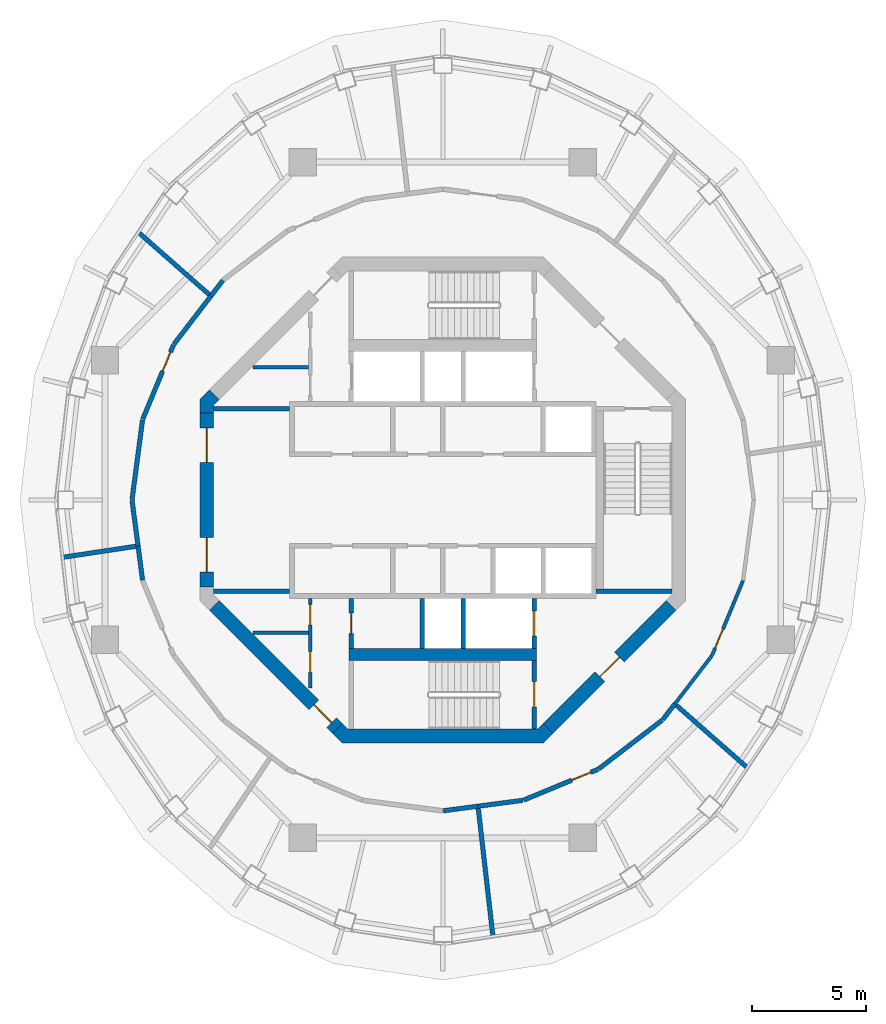
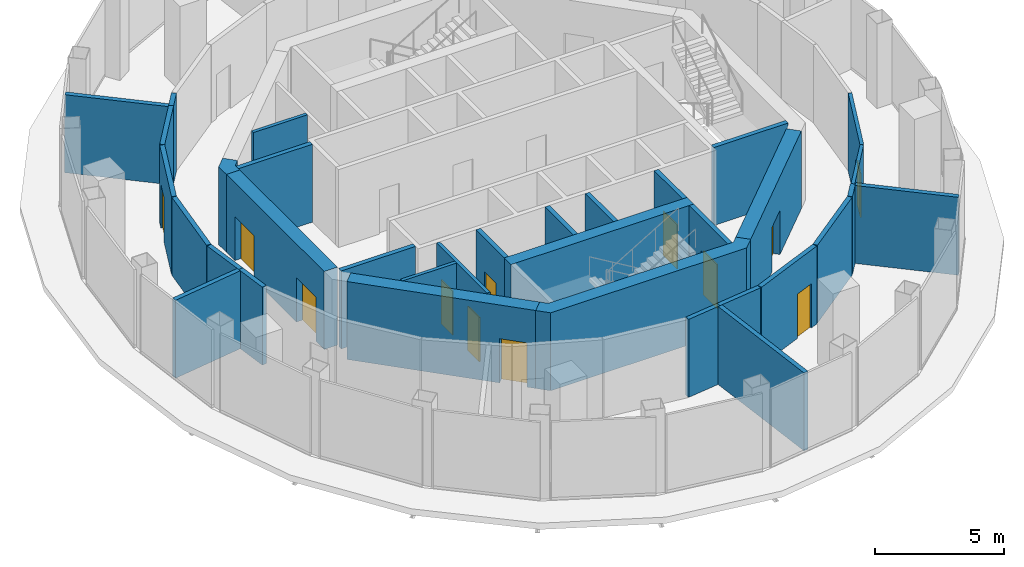
# One storey, part 8 of 11: 34 walls, 12 doors, 12 openings.
"""IFC4 building model written with IfcOpenShell, lengths in metres."""

from ifc_helpers import new_model, si_unit, direction, frame, frame_2d, origin, place, context, subcontext, project, spatial, polyline, rectangle, outline, extrude, material, layer, layer_set, type_object, element, fill, save


model = new_model("IFC4")

# Units and contexts
model_context = context("Model", 3, precision=1e-05, world=origin(), true_north=direction((0.0, 1.0)))
body_context = subcontext(model_context, "Body", "Model", "MODEL_VIEW")
ifc_project = project(units=[si_unit("LENGTHUNIT", "METRE"), si_unit("AREAUNIT", "SQUARE_METRE"), si_unit("VOLUMEUNIT", "CUBIC_METRE"), si_unit("PLANEANGLEUNIT", "RADIAN"), si_unit("MASSUNIT", "GRAM", prefix="KILO")], contexts=[model_context])

# Site, building, storey
site_placement = place(None, origin())
site = spatial("IfcSite", under=ifc_project, at=site_placement, CompositionType="ELEMENT")
building_placement = place(site_placement, origin())
building = spatial("IfcBuilding", under=site, at=building_placement, Name="Nagisa Residences", CompositionType="ELEMENT")
storey_placement = place(building_placement, frame((0.0, 0.0, 324.89990234375)))
storey = spatial("IfcBuildingStorey", under=building, at=storey_placement, Name="L80", CompositionType="ELEMENT", Elevation=324.89990234375)

# Wall, openings, doors
ifc_material_1 = material(Name="Gypsum board on steel studs", Category="steel")
ifc_layer_1 = layer(ifc_material_1, 0.14990234375)
ifc_layer_set_1 = layer_set([ifc_layer_1], Name="Core partition 150")
wall_type_1 = type_object("IfcWallType", Name="Core partition 150", PredefinedType="PARTITIONING", material=ifc_layer_set_1)
wall_1_placement = place(storey_placement, frame((-5.800048828125, -8.22705078125, 0.0), z_axis=(0.0, 0.0, 1.0), x_axis=(0.0, 1.0, 0.0)))
wall_1 = element("IfcWall", 1, at=wall_1_placement, inside=storey, type_object=wall_type_1, Name="wall:L80:SWp", PredefinedType="PARTITIONING", context=body_context, shape_type="SweptSolid", body=[
    extrude(rectangle(XDim=3.927001953125, YDim=0.14990234375, at=frame_2d((1.96337890625, 0.0))), origin(), (0.0, 0.0, 1.0), 3.7001953125),
])
opening_1_placement = place(wall_1_placement, frame((2.764404296875, 0.0, 0.0)))
opening_1 = element("IfcOpeningElement", 2, at=opening_1_placement, cuts=wall_1, Name="Opening L80-C09", PredefinedType="OPENING", context=body_context, shape_type="SweptSolid", body=[
    extrude(rectangle(XDim=0.89990234375, YDim=2.10009765625, at=frame_2d((0.449951171875, 1.050048828125))), frame((0.0, 0.0849609375, 0.0), z_axis=(0.0, -1.0, 0.0), x_axis=(1.0, 0.0, 0.0)), (0.0, 0.0, 1.0), 0.169921875),
])
opening_2_placement = place(wall_1_placement, frame((0.6884765625, 0.0, 0.0)))
opening_2 = element("IfcOpeningElement", 3, at=opening_2_placement, cuts=wall_1, Name="Opening L80-C10", PredefinedType="OPENING", context=body_context, shape_type="SweptSolid", body=[
    extrude(rectangle(XDim=0.89990234375, YDim=2.10009765625, at=frame_2d((0.449951171875, 1.050048828125))), frame((0.0, 0.0849609375, 0.0), z_axis=(0.0, -1.0, 0.0), x_axis=(1.0, 0.0, 0.0)), (0.0, 0.0, 1.0), 0.169921875),
])
ifc_material_2 = material(Name="Steel fire door", Category="steel")
door_type_1 = type_object("IfcDoorType", Name="Fire door EI30 900x2100 single swing", OperationType="NOTDEFINED", PredefinedType="DOOR", material=ifc_material_2)
door_1_placement = place(opening_1_placement, origin())
door_1 = element("IfcDoor", 4, at=door_1_placement, inside=storey, type_object=door_type_1, Name="Cleaner store door L80", OperationType="SINGLE_SWING_LEFT", OverallHeight=2.10009765625, OverallWidth=0.89990234375, PredefinedType="DOOR", context=body_context, shape_type="SweptSolid", body=[
    extrude(rectangle(XDim=0.89990234375, YDim=2.10009765625, at=frame_2d((0.449951171875, 1.050048828125))), frame((0.0, 0.02490234375, 0.0), z_axis=(0.0, -1.0, 0.0), x_axis=(1.0, 0.0, 0.0)), (0.0, 0.0, 1.0), 0.050048828125),
])
fill(opening_1, door_1)
door_2_placement = place(opening_2_placement, origin())
door_2 = element("IfcDoor", 5, at=door_2_placement, inside=storey, type_object=door_type_1, Name="Plant package store door L80", OperationType="SINGLE_SWING_LEFT", OverallHeight=2.10009765625, OverallWidth=0.89990234375, PredefinedType="DOOR", context=body_context, shape_type="SweptSolid", body=[
    extrude(rectangle(XDim=0.89990234375, YDim=2.10009765625, at=frame_2d((0.449951171875, 1.050048828125))), frame((0.0, 0.02490234375, 0.0), z_axis=(0.0, -1.0, 0.0), x_axis=(1.0, 0.0, 0.0)), (0.0, 0.0, 1.0), 0.050048828125),
])
fill(opening_2, door_2)

# Walls
for number, where, z_axis, x_axis, name in (
    (6, (-8.301025390625, -5.800048828125, 0.0), (0.0, 0.0, 1.0), (1.0, 0.0, 0.0), "wall:L80:SWq"),
    (7, (-8.301025390625, 5.800048828125, 0.0), (0.0, 0.0, 1.0), (1.0, 0.0, 0.0), "wall:L80:NWq"),
):
    element("IfcWall", number, at=place(storey_placement, frame(where, z_axis=z_axis, x_axis=x_axis)), inside=storey, type_object=wall_type_1, Name=name, PredefinedType="PARTITIONING", context=body_context, shape_type="SweptSolid", body=[
        extrude(rectangle(XDim=2.426025390625, YDim=0.14990234375, at=frame_2d((1.212890625, 0.0))), origin(), (0.0, 0.0, 1.0), 3.7001953125),
    ])
ifc_material_3 = material(Name="Gypsum board on steel studs", Category="steel")
ifc_layer_2 = layer(ifc_material_3, 0.199951171875)
ifc_layer_set_2 = layer_set([ifc_layer_2], Name="Core partition 200")
wall_type_2 = type_object("IfcWallType", Name="Core partition 200", PredefinedType="PARTITIONING", material=ifc_layer_set_2)
for number, where, z_axis, x_axis, name in (
    (8, (-10.024658203125, -4.0, 0.0), (0.0, 0.0, 1.0), (1.0, 0.0, 0.0), "wall:L80:PSW"),
    (9, (-10.024658203125, 4.0, 0.0), (0.0, 0.0, 1.0), (1.0, 0.0, 0.0), "wall:L80:PNW"),
):
    element("IfcWall", number, at=place(storey_placement, frame(where, z_axis=z_axis, x_axis=x_axis)), inside=storey, type_object=wall_type_2, Name=name, PredefinedType="PARTITIONING", context=body_context, shape_type="SweptSolid", body=[
        extrude(rectangle(XDim=3.32470703125, YDim=0.199951171875, at=frame_2d((1.662353515625, 0.0))), origin(), (0.0, 0.0, 1.0), 3.7001953125),
    ])

# Wall, openings, doors
ifc_material_4 = material(Name="Concrete C60", Category="concrete")
ifc_layer_3 = layer(ifc_material_4, 0.60009765625)
ifc_layer_set_3 = layer_set([ifc_layer_3], Name="Core shear wall 600")
wall_type_3 = type_object("IfcWallType", Name="Core shear wall 600", PredefinedType="SHEAR", material=ifc_layer_set_3)
wall_2_placement = place(storey_placement, frame((-10.32470703125, 3.80078125, 0.0), z_axis=(0.0, 0.0, 1.0), x_axis=(0.0, -1.0, 0.0)))
wall_2 = element("IfcWall", 10, at=wall_2_placement, inside=storey, type_object=wall_type_3, Name="wall:L80:core:flat4", PredefinedType="SHEAR", context=body_context, shape_type="SweptSolid", body=[
    extrude(rectangle(XDim=7.6015625, YDim=0.60009765625, at=frame_2d((3.80078125, 0.0))), origin(), (0.0, 0.0, 1.0), 3.7001953125),
])
opening_3_placement = place(wall_2_placement, frame((0.65087890625, 0.0, 0.0)))
opening_3 = element("IfcOpeningElement", 11, at=opening_3_placement, cuts=wall_2, Name="Opening L80-C20", PredefinedType="OPENING", context=body_context, shape_type="SweptSolid", body=[
    extrude(rectangle(XDim=1.5, YDim=2.10009765625, at=frame_2d((0.75, 1.050048828125))), frame((0.0, 0.31005859375, 0.0), z_axis=(0.0, -1.0, 0.0), x_axis=(1.0, 0.0, 0.0)), (0.0, 0.0, 1.0), 0.6201171875),
])
opening_4_placement = place(wall_2_placement, frame((5.450927734375, 0.0, 0.0)))
opening_4 = element("IfcOpeningElement", 12, at=opening_4_placement, cuts=wall_2, Name="Opening L80-C21", PredefinedType="OPENING", context=body_context, shape_type="SweptSolid", body=[
    extrude(rectangle(XDim=1.5, YDim=2.10009765625, at=frame_2d((0.75, 1.050048828125))), frame((0.0, 0.31005859375, 0.0), z_axis=(0.0, -1.0, 0.0), x_axis=(1.0, 0.0, 0.0)), (0.0, 0.0, 1.0), 0.6201171875),
])
ifc_material_5 = material(Name="Steel fire door", Category="steel")
door_type_2 = type_object("IfcDoorType", Name="Fire door EI60 1500x2100 double door single swing", OperationType="DOUBLE_DOOR_SINGLE_SWING", PredefinedType="DOOR", material=ifc_material_5)
door_3_placement = place(opening_3_placement, origin())
door_3 = element("IfcDoor", 13, at=door_3_placement, inside=storey, type_object=door_type_2, Name="Lift lobby door L80 1", OperationType="DOUBLE_DOOR_SINGLE_SWING", OverallHeight=2.10009765625, OverallWidth=1.5, PredefinedType="DOOR", context=body_context, shape_type="SweptSolid", body=[
    extrude(rectangle(XDim=1.5, YDim=2.10009765625, at=frame_2d((0.75, 1.050048828125))), frame((0.0, 0.02490234375, 0.0), z_axis=(0.0, -1.0, 0.0), x_axis=(1.0, 0.0, 0.0)), (0.0, 0.0, 1.0), 0.050048828125),
])
fill(opening_3, door_3)
door_4_placement = place(opening_4_placement, origin())
door_4 = element("IfcDoor", 14, at=door_4_placement, inside=storey, type_object=door_type_2, Name="Lift lobby door L80 2", OperationType="DOUBLE_DOOR_SINGLE_SWING", OverallHeight=2.10009765625, OverallWidth=1.5, PredefinedType="DOOR", context=body_context, shape_type="SweptSolid", body=[
    extrude(rectangle(XDim=1.5, YDim=2.10009765625, at=frame_2d((0.75, 1.050048828125))), frame((0.0, 0.02490234375, 0.0), z_axis=(0.0, -1.0, 0.0), x_axis=(1.0, 0.0, 0.0)), (0.0, 0.0, 1.0), 0.050048828125),
])
fill(opening_4, door_4)

# Wall, opening, door
wall_3_placement = place(storey_placement, frame((-9.98828125, -4.613037109375, 0.0), z_axis=(0.0, 0.0, 1.0), x_axis=(0.707106781187, -0.707106781187, 0.0)))
wall_3 = element("IfcWall", 15, at=wall_3_placement, inside=storey, type_object=wall_type_3, Name="wall:L80:core:flat5", PredefinedType="SHEAR", context=body_context, shape_type="SweptSolid", body=[
    extrude(rectangle(XDim=7.601806640625, YDim=0.60009765625, at=frame_2d((3.80078125, 0.0))), origin(), (0.0, 0.0, 1.0), 3.7001953125),
])
opening_5_placement = place(wall_3_placement, frame((6.15087890625, 0.0, 0.0)))
opening_5 = element("IfcOpeningElement", 16, at=opening_5_placement, cuts=wall_3, Name="Opening L80-C23", PredefinedType="OPENING", context=body_context, shape_type="SweptSolid", body=[
    extrude(rectangle(XDim=1.10009765625, YDim=2.10009765625, at=frame_2d((0.550048828125, 1.050048828125))), frame((0.0, 0.31005859375, 0.0), z_axis=(0.0, -1.0, 0.0), x_axis=(1.0, 0.0, 0.0)), (0.0, 0.0, 1.0), 0.6201171875),
])
ifc_material_6 = material(Name="Steel fire door", Category="steel")
door_type_3 = type_object("IfcDoorType", Name="Fire door EI60 1100x2100 single swing", OperationType="NOTDEFINED", PredefinedType="DOOR", material=ifc_material_6)
door_5_placement = place(opening_5_placement, origin())
door_5 = element("IfcDoor", 17, at=door_5_placement, inside=storey, type_object=door_type_3, Name="Housekeeping lobby door L80", OperationType="SINGLE_SWING_LEFT", OverallHeight=2.10009765625, OverallWidth=1.10009765625, PredefinedType="DOOR", context=body_context, shape_type="SweptSolid", body=[
    extrude(rectangle(XDim=1.10009765625, YDim=2.10009765625, at=frame_2d((0.550048828125, 1.050048828125))), frame((0.0, 0.02490234375, 0.0), z_axis=(0.0, -1.0, 0.0), x_axis=(1.0, 0.0, 0.0)), (0.0, 0.0, 1.0), 0.050048828125),
])
fill(opening_5, door_5)

wall_4_placement = place(storey_placement, frame((4.613037109375, -9.98828125, 0.0), z_axis=(0.0, 0.0, 1.0), x_axis=(0.707106781187, 0.707106781187, 0.0)))
wall_4 = element("IfcWall", 18, at=wall_4_placement, inside=storey, type_object=wall_type_3, Name="wall:L80:core:flat7", PredefinedType="SHEAR", context=body_context, shape_type="SweptSolid", body=[
    extrude(rectangle(XDim=7.601806640625, YDim=0.60009765625, at=frame_2d((3.80078125, 0.0))), origin(), (0.0, 0.0, 1.0), 3.7001953125),
])
opening_6_placement = place(wall_4_placement, frame((3.200927734375, 0.0, 0.0)))
opening_6 = element("IfcOpeningElement", 19, at=opening_6_placement, cuts=wall_4, Name="Opening L80-C19", PredefinedType="OPENING", context=body_context, shape_type="SweptSolid", body=[
    extrude(rectangle(XDim=1.199951171875, YDim=2.10009765625, at=frame_2d((0.60009765625, 1.050048828125))), frame((0.0, 0.31005859375, 0.0), z_axis=(0.0, -1.0, 0.0), x_axis=(1.0, 0.0, 0.0)), (0.0, 0.0, 1.0), 0.6201171875),
])
ifc_material_7 = material(Name="Steel fire door", Category="steel")
door_type_4 = type_object("IfcDoorType", Name="Fire door EI60 1200x2100 single swing", OperationType="NOTDEFINED", PredefinedType="DOOR", material=ifc_material_7)
door_6_placement = place(opening_6_placement, origin())
door_6 = element("IfcDoor", 20, at=door_6_placement, inside=storey, type_object=door_type_4, Name="Firefighting lobby 2 door L80", OperationType="SINGLE_SWING_LEFT", OverallHeight=2.10009765625, OverallWidth=1.199951171875, PredefinedType="DOOR", context=body_context, shape_type="SweptSolid", body=[
    extrude(rectangle(XDim=1.199951171875, YDim=2.10009765625, at=frame_2d((0.60009765625, 1.050048828125))), frame((0.0, 0.02490234375, 0.0), z_axis=(0.0, -1.0, 0.0), x_axis=(1.0, 0.0, 0.0)), (0.0, 0.0, 1.0), 0.050048828125),
])
fill(opening_6, door_6)

# Walls
wall_5_placement = place(storey_placement, origin())
element("IfcWall", 21, at=wall_5_placement, inside=storey, type_object=wall_type_3, Name="wall:L80:core:pier3", PredefinedType="SHEAR", context=body_context, shape_type="SweptSolid", body=[
    extrude(outline(polyline([(-10.200439453125, 4.8251953125), (-9.776123046875, 4.40087890625), (-10.024658203125, 4.15234375), (-10.024658203125, 3.80078125), (-10.62451171875, 3.80078125), (-10.62451171875, 4.40087890625), (-10.200439453125, 4.8251953125)])), origin(), (0.0, 0.0, 1.0), 3.7001953125),
])
wall_6_placement = place(storey_placement, origin())
element("IfcWall", 22, at=wall_6_placement, inside=storey, type_object=wall_type_3, Name="wall:L80:core:flat6", PredefinedType="SHEAR", context=body_context, shape_type="SweptSolid", body=[
    extrude(outline(polyline([(-4.15234375, -10.024658203125), (4.15234375, -10.024658203125), (4.40087890625, -9.776123046875), (4.8251953125, -10.200439453125), (4.40087890625, -10.62451171875), (-4.40087890625, -10.62451171875), (-4.8251953125, -10.200439453125), (-4.40087890625, -9.776123046875), (-4.15234375, -10.024658203125)])), origin(), (0.0, 0.0, 1.0), 3.7001953125),
])

# Wall, opening, door
ifc_material_8 = material(Name="Concrete C60", Category="concrete")
ifc_layer_4 = layer(ifc_material_8, 0.199951171875)
ifc_layer_set_4 = layer_set([ifc_layer_4], Name="Lift shaft wall 200")
wall_type_4 = type_object("IfcWallType", Name="Lift shaft wall 200", PredefinedType="SOLIDWALL", material=ifc_layer_set_4)
wall_7_placement = place(storey_placement, frame((4.0, -6.5, 0.0), z_axis=(0.0, 0.0, 1.0), x_axis=(0.0, 1.0, 0.0)))
wall_7 = element("IfcWall", 23, at=wall_7_placement, inside=storey, type_object=wall_type_4, Name="wall:L80:Sb3", PredefinedType="SOLIDWALL", context=body_context, shape_type="SweptSolid", body=[
    extrude(rectangle(XDim=2.199951171875, YDim=0.199951171875, at=frame_2d((1.10009765625, 0.0))), origin(), (0.0, 0.0, 1.0), 3.7001953125),
])
opening_7_placement = place(wall_7_placement, frame((0.550048828125, 0.0, 0.0)))
opening_7 = element("IfcOpeningElement", 24, at=opening_7_placement, cuts=wall_7, Name="Opening L80-C02", PredefinedType="OPENING", context=body_context, shape_type="SweptSolid", body=[
    extrude(rectangle(XDim=1.10009765625, YDim=2.10009765625, at=frame_2d((0.550048828125, 1.050048828125))), frame((0.0, 0.10986328125, 0.0), z_axis=(0.0, -1.0, 0.0), x_axis=(1.0, 0.0, 0.0)), (0.0, 0.0, 1.0), 0.219970703125),
])
ifc_material_9 = material(Name="Stainless steel", Category="steel")
door_type_5 = type_object("IfcDoorType", Name="Lift landing door 1100x2100", OperationType="DOUBLE_DOOR_SLIDING", PredefinedType="DOOR", material=ifc_material_9)
door_7_placement = place(opening_7_placement, origin())
door_7 = element("IfcDoor", 25, at=door_7_placement, inside=storey, type_object=door_type_5, Name="Landing door FL2 L80", OperationType="DOUBLE_DOOR_SLIDING", OverallHeight=2.10009765625, OverallWidth=1.10009765625, PredefinedType="DOOR", context=body_context, shape_type="SweptSolid", body=[
    extrude(rectangle(XDim=1.10009765625, YDim=2.10009765625, at=frame_2d((0.550048828125, 1.050048828125))), frame((0.0, 0.02490234375, 0.0), z_axis=(0.0, -1.0, 0.0), x_axis=(1.0, 0.0, 0.0)), (0.0, 0.0, 1.0), 0.050048828125),
])
fill(opening_7, door_7)

wall_8_placement = place(storey_placement, frame((-4.0, -6.5, 0.0), z_axis=(0.0, 0.0, 1.0), x_axis=(0.0, 1.0, 0.0)))
wall_8 = element("IfcWall", 26, at=wall_8_placement, inside=storey, type_object=wall_type_4, Name="wall:L80:Sb4", PredefinedType="SOLIDWALL", context=body_context, shape_type="SweptSolid", body=[
    extrude(rectangle(XDim=2.199951171875, YDim=0.199951171875, at=frame_2d((1.10009765625, 0.0))), origin(), (0.0, 0.0, 1.0), 3.7001953125),
])
opening_8_placement = place(wall_8_placement, frame((0.64990234375, 0.0, 0.0)))
opening_8 = element("IfcOpeningElement", 27, at=opening_8_placement, cuts=wall_8, Name="Opening L80-C11", PredefinedType="OPENING", context=body_context, shape_type="SweptSolid", body=[
    extrude(rectangle(XDim=0.89990234375, YDim=2.10009765625, at=frame_2d((0.449951171875, 1.050048828125))), frame((0.0, 0.10986328125, 0.0), z_axis=(0.0, -1.0, 0.0), x_axis=(1.0, 0.0, 0.0)), (0.0, 0.0, 1.0), 0.219970703125),
])
door_8_placement = place(opening_8_placement, frame((0.89990234375, 0.0, 0.0), x_axis=(-1.0, 0.0, 0.0)))
door_8 = element("IfcDoor", 28, at=door_8_placement, inside=storey, type_object=door_type_1, Name="Refuse room door L80", OperationType="SINGLE_SWING_LEFT", OverallHeight=2.10009765625, OverallWidth=0.89990234375, PredefinedType="DOOR", context=body_context, shape_type="SweptSolid", body=[
    extrude(rectangle(XDim=0.89990234375, YDim=2.10009765625, at=frame_2d((0.449951171875, 1.050048828125))), frame((0.0, 0.02490234375, 0.0), z_axis=(0.0, -1.0, 0.0), x_axis=(1.0, 0.0, 0.0)), (0.0, 0.0, 1.0), 0.050048828125),
])
fill(opening_8, door_8)

# Walls
for number, where, z_axis, x_axis, name in (
    (29, (-0.89990234375, -6.5, 0.0), (0.0, 0.0, 1.0), (0.0, 1.0, 0.0), "wall:L80:Sb1"),
    (30, (0.89990234375, -6.5, 0.0), (0.0, 0.0, 1.0), (0.0, 1.0, 0.0), "wall:L80:Sb2"),
):
    element("IfcWall", number, at=place(storey_placement, frame(where, z_axis=z_axis, x_axis=x_axis)), inside=storey, type_object=wall_type_4, Name=name, PredefinedType="SOLIDWALL", context=body_context, shape_type="SweptSolid", body=[
        extrude(rectangle(XDim=2.199951171875, YDim=0.199951171875, at=frame_2d((1.10009765625, 0.0))), origin(), (0.0, 0.0, 1.0), 3.7001953125),
    ])
ifc_material_10 = material(Name="Gypsum board on steel studs", Category="steel")
ifc_layer_5 = layer(ifc_material_10, 0.199951171875)
ifc_layer_set_5 = layer_set([ifc_layer_5], Name="Plant room wall EI120 200")
wall_type_5 = type_object("IfcWallType", Name="Plant room wall EI120 200", PredefinedType="PARTITIONING", material=ifc_layer_set_5)
wall_9_placement = place(storey_placement, frame((-13.597900390625, 0.01513671875, 0.0), z_axis=(0.0, 0.0, 1.0), x_axis=(0.130468866457, 0.991452406768, 0.0)))
element("IfcWall", 31, at=wall_9_placement, inside=storey, type_object=wall_type_5, Name="wall:L80:am004", PredefinedType="PARTITIONING", context=body_context, shape_type="SweptSolid", body=[
    extrude(rectangle(XDim=3.519775390625, YDim=0.199951171875, at=frame_2d((1.759765625, 0.0))), origin(), (0.0, 0.0, 1.0), 3.7001953125),
])
wall_10_placement = place(storey_placement, frame((-13.43408203125, -2.025390625, 0.0), z_axis=(0.0, 0.0, 1.0), x_axis=(-0.988817905908, -0.149127961685, 0.0)))
element("IfcWall", 32, at=wall_10_placement, inside=storey, type_object=wall_type_5, Name="wall:L80:am005", PredefinedType="PARTITIONING", context=body_context, shape_type="SweptSolid", body=[
    extrude(rectangle(XDim=3.213623046875, YDim=0.199951171875, at=frame_2d((1.60693359375, 0.0))), origin(), (0.0, 0.0, 1.0), 3.7001953125),
])
wall_11_placement = place(storey_placement, frame((-13.335205078125, -2.010498046875, 0.0), z_axis=(0.0, 0.0, 1.0), x_axis=(-0.130526685544, 0.991444796426, 0.0)))
element("IfcWall", 33, at=wall_11_placement, inside=storey, type_object=wall_type_5, Name="wall:L80:am006", PredefinedType="PARTITIONING", context=body_context, shape_type="SweptSolid", body=[
    extrude(rectangle(XDim=2.0126953125, YDim=0.199951171875, at=frame_2d((1.00634765625, 0.0))), origin(), (0.0, 0.0, 1.0), 3.7001953125),
])
wall_12_placement = place(storey_placement, frame((-13.138671875, -3.5048828125, 0.0), z_axis=(0.0, 0.0, 1.0), x_axis=(-0.130391662061, 0.99146256332, 0.0)))
element("IfcWall", 34, at=wall_12_placement, inside=storey, type_object=wall_type_5, Name="wall:L80:am007", PredefinedType="PARTITIONING", context=body_context, shape_type="SweptSolid", body=[
    extrude(rectangle(XDim=1.50732421875, YDim=0.199951171875, at=frame_2d((0.753662109375, 0.0))), origin(), (0.0, 0.0, 1.0), 3.7001953125),
])

# Wall, opening, door
wall_13_placement = place(storey_placement, frame((-13.130859375, 3.533935546875, 0.0), z_axis=(0.0, 0.0, 1.0), x_axis=(0.382723413813, 0.92386297064, 0.0)))
wall_13 = element("IfcWall", 35, at=wall_13_placement, inside=storey, type_object=wall_type_5, Name="wall:L80:am008", PredefinedType="PARTITIONING", context=body_context, shape_type="SweptSolid", body=[
    extrude(rectangle(XDim=3.52001953125, YDim=0.199951171875, at=frame_2d((1.760009765625, 0.0))), origin(), (0.0, 0.0, 1.0), 3.7001953125),
])
opening_9_placement = place(wall_13_placement, frame((2.277587890625, 0.0, 0.0)))
opening_9 = element("IfcOpeningElement", 36, at=opening_9_placement, cuts=wall_13, Name="Opening L80-A04", PredefinedType="OPENING", context=body_context, shape_type="SweptSolid", body=[
    extrude(rectangle(XDim=0.89990234375, YDim=2.10009765625, at=frame_2d((0.449951171875, 1.050048828125))), frame((0.0, 0.10986328125, 0.0), z_axis=(0.0, -1.0, 0.0), x_axis=(1.0, 0.0, 0.0)), (0.0, 0.0, 1.0), 0.219970703125),
])
ifc_material_11 = material(Name="Steel fire door", Category="steel")
door_type_6 = type_object("IfcDoorType", Name="Fire door EI120 900x2100 single swing", OperationType="NOTDEFINED", PredefinedType="DOOR", material=ifc_material_11)
door_9_placement = place(opening_9_placement, origin())
door_9 = element("IfcDoor", 37, at=door_9_placement, inside=storey, type_object=door_type_6, Name="Lift machine room door", OperationType="SINGLE_SWING_RIGHT", OverallHeight=2.10009765625, OverallWidth=0.89990234375, PredefinedType="DOOR", context=body_context, shape_type="SweptSolid", body=[
    extrude(rectangle(XDim=0.89990234375, YDim=2.10009765625, at=frame_2d((0.449951171875, 1.050048828125))), frame((0.0, 0.02490234375, 0.0), z_axis=(0.0, -1.0, 0.0), x_axis=(1.0, 0.0, 0.0)), (0.0, 0.0, 1.0), 0.050048828125),
])
fill(opening_9, door_9)

# Walls
wall_14_placement = place(storey_placement, frame((-11.7685546875, 6.81201171875, 0.0), z_axis=(0.0, 0.0, 1.0), x_axis=(0.608699260048, 0.793401040343, 0.0)))
element("IfcWall", 38, at=wall_14_placement, inside=storey, type_object=wall_type_5, Name="wall:L80:am010", PredefinedType="PARTITIONING", context=body_context, shape_type="SweptSolid", body=[
    extrude(rectangle(XDim=2.660888671875, YDim=0.199951171875, at=frame_2d((1.33056640625, 0.0))), origin(), (0.0, 0.0, 1.0), 3.7001953125),
])
wall_15_placement = place(storey_placement, frame((-10.22412109375, 8.9892578125, 0.0), z_axis=(0.0, 0.0, 1.0), x_axis=(-0.750994766266, 0.660308156122, 0.0)))
element("IfcWall", 39, at=wall_15_placement, inside=storey, type_object=wall_type_5, Name="wall:L80:am011", PredefinedType="PARTITIONING", context=body_context, shape_type="SweptSolid", body=[
    extrude(rectangle(XDim=4.097412109375, YDim=0.199951171875, at=frame_2d((2.048828125, 0.0))), origin(), (0.0, 0.0, 1.0), 3.7001953125),
])
wall_16_placement = place(storey_placement, frame((-10.14892578125, 8.923095703125, 0.0), z_axis=(0.0, 0.0, 1.0), x_axis=(0.608694005511, 0.793405071609, 0.0)))
element("IfcWall", 40, at=wall_16_placement, inside=storey, type_object=wall_type_5, Name="wall:L80:am012", PredefinedType="PARTITIONING", context=body_context, shape_type="SweptSolid", body=[
    extrude(rectangle(XDim=0.859130859375, YDim=0.199951171875, at=frame_2d((0.4296875, 0.0))), origin(), (0.0, 0.0, 1.0), 3.7001953125),
])
wall_17_placement = place(storey_placement, frame((1.5380859375, -13.3974609375, 0.0), z_axis=(0.0, 0.0, 1.0), x_axis=(-0.991449967232, -0.13048740351, 0.0)))
element("IfcWall", 41, at=wall_17_placement, inside=storey, type_object=wall_type_5, Name="wall:L80:am025", PredefinedType="PARTITIONING", context=body_context, shape_type="SweptSolid", body=[
    extrude(rectangle(XDim=1.5361328125, YDim=0.199951171875, at=frame_2d((0.76806640625, 0.0))), origin(), (0.0, 0.0, 1.0), 3.7001953125),
])
wall_18_placement = place(storey_placement, frame((1.549560546875, -13.496826171875, 0.0), z_axis=(0.0, 0.0, 1.0), x_axis=(0.114057329834, -0.993474169524, 0.0)))
element("IfcWall", 42, at=wall_18_placement, inside=storey, type_object=wall_type_5, Name="wall:L80:am026", PredefinedType="PARTITIONING", context=body_context, shape_type="SweptSolid", body=[
    extrude(rectangle(XDim=5.608154296875, YDim=0.199951171875, at=frame_2d((2.80419921875, 0.0))), origin(), (0.0, 0.0, 1.0), 3.7001953125),
])
wall_19_placement = place(storey_placement, frame((3.5048828125, -13.138671875, 0.0), z_axis=(0.0, 0.0, 1.0), x_axis=(-0.991454295543, -0.130454512571, 0.0)))
element("IfcWall", 43, at=wall_19_placement, inside=storey, type_object=wall_type_5, Name="wall:L80:am027", PredefinedType="PARTITIONING", context=body_context, shape_type="SweptSolid", body=[
    extrude(rectangle(XDim=1.983642578125, YDim=0.199951171875, at=frame_2d((0.99169921875, 0.0))), origin(), (0.0, 0.0, 1.0), 3.7001953125),
])

# Wall, opening, door
wall_20_placement = place(storey_placement, frame((6.785888671875, -11.78369140625, 0.0), z_axis=(0.0, 0.0, 1.0), x_axis=(-0.92386297064, -0.382723413813, 0.0)))
wall_20 = element("IfcWall", 44, at=wall_20_placement, inside=storey, type_object=wall_type_5, Name="wall:L80:am029", PredefinedType="PARTITIONING", context=body_context, shape_type="SweptSolid", body=[
    extrude(rectangle(XDim=3.52001953125, YDim=0.199951171875, at=frame_2d((1.760009765625, 0.0))), origin(), (0.0, 0.0, 1.0), 3.7001953125),
])
opening_10_placement = place(wall_20_placement, frame((0.34228515625, 0.0, 0.0)))
opening_10 = element("IfcOpeningElement", 45, at=opening_10_placement, cuts=wall_20, Name="Opening L80-A07", PredefinedType="OPENING", context=body_context, shape_type="SweptSolid", body=[
    extrude(rectangle(XDim=0.89990234375, YDim=2.10009765625, at=frame_2d((0.449951171875, 1.050048828125))), frame((0.0, 0.10986328125, 0.0), z_axis=(0.0, -1.0, 0.0), x_axis=(1.0, 0.0, 0.0)), (0.0, 0.0, 1.0), 0.219970703125),
])
door_10_placement = place(opening_10_placement, origin())
door_10 = element("IfcDoor", 46, at=door_10_placement, inside=storey, type_object=door_type_6, Name="Mast cable plant room door", OperationType="SINGLE_SWING_LEFT", OverallHeight=2.10009765625, OverallWidth=0.89990234375, PredefinedType="DOOR", context=body_context, shape_type="SweptSolid", body=[
    extrude(rectangle(XDim=0.89990234375, YDim=2.10009765625, at=frame_2d((0.449951171875, 1.050048828125))), frame((0.0, 0.02490234375, 0.0), z_axis=(0.0, -1.0, 0.0), x_axis=(1.0, 0.0, 0.0)), (0.0, 0.0, 1.0), 0.050048828125),
])
fill(opening_10, door_10)

# Walls
wall_21_placement = place(storey_placement, frame((9.604736328125, -9.6259765625, 0.0), z_axis=(0.0, 0.0, 1.0), x_axis=(-0.793402024283, -0.608697977542, 0.0)))
element("IfcWall", 47, at=wall_21_placement, inside=storey, type_object=wall_type_5, Name="wall:L80:am033", PredefinedType="PARTITIONING", context=body_context, shape_type="SweptSolid", body=[
    extrude(rectangle(XDim=3.52001953125, YDim=0.199951171875, at=frame_2d((1.760009765625, 0.0))), origin(), (0.0, 0.0, 1.0), 3.7001953125),
])
wall_22_placement = place(storey_placement, frame((10.14892578125, -8.923095703125, 0.0), z_axis=(0.0, 0.0, 1.0), x_axis=(-0.608694005511, -0.793405071609, 0.0)))
element("IfcWall", 48, at=wall_22_placement, inside=storey, type_object=wall_type_5, Name="wall:L80:am035", PredefinedType="PARTITIONING", context=body_context, shape_type="SweptSolid", body=[
    extrude(rectangle(XDim=0.859130859375, YDim=0.199951171875, at=frame_2d((0.4296875, 0.0))), origin(), (0.0, 0.0, 1.0), 3.7001953125),
])
wall_23_placement = place(storey_placement, frame((13.30126953125, -11.69482421875, 0.0), z_axis=(0.0, 0.0, 1.0), x_axis=(-0.750994766266, 0.660308156122, 0.0)))
element("IfcWall", 49, at=wall_23_placement, inside=storey, type_object=wall_type_5, Name="wall:L80:am037", PredefinedType="PARTITIONING", context=body_context, shape_type="SweptSolid", body=[
    extrude(rectangle(XDim=4.097412109375, YDim=0.199951171875, at=frame_2d((2.048828125, 0.0))), origin(), (0.0, 0.0, 1.0), 3.7001953125),
])
ifc_material_12 = material(Name="Gypsum board on steel studs", Category="steel")
ifc_layer_6 = layer(ifc_material_12, 0.14990234375)
ifc_layer_set_6 = layer_set([ifc_layer_6], Name="Room partition EI60 150")
wall_type_6 = type_object("IfcWallType", Name="Room partition EI60 150", PredefinedType="PARTITIONING", material=ifc_layer_set_6)
wall_24_placement = place(storey_placement, frame((11.770751953125, -6.809326171875, 0.0), z_axis=(0.0, 0.0, 1.0), x_axis=(-0.608731606531, -0.793376222993, 0.0)))
element("IfcWall", 50, at=wall_24_placement, inside=storey, type_object=wall_type_6, Name="wall:L80:am000", PredefinedType="PARTITIONING", context=body_context, shape_type="SweptSolid", body=[
    extrude(rectangle(XDim=2.664306640625, YDim=0.14990234375, at=frame_2d((1.33203125, 0.0))), origin(), (0.0, 0.0, 1.0), 3.7001953125),
])

# Wall, opening, door
wall_25_placement = place(storey_placement, frame((13.132080078125, -3.53076171875, 0.0), z_axis=(0.0, 0.0, 1.0), x_axis=(-0.382677866108, -0.923881838111, 0.0)))
wall_25 = element("IfcWall", 51, at=wall_25_placement, inside=storey, type_object=wall_type_6, Name="wall:L80:am001", PredefinedType="PARTITIONING", context=body_context, shape_type="SweptSolid", body=[
    extrude(rectangle(XDim=3.52685546875, YDim=0.14990234375, at=frame_2d((1.763427734375, 0.0))), origin(), (0.0, 0.0, 1.0), 3.7001953125),
])
opening_11_placement = place(wall_25_placement, frame((2.281005859375, 0.0, 0.0)))
opening_11 = element("IfcOpeningElement", 52, at=opening_11_placement, cuts=wall_25, Name="Opening L80-A08", PredefinedType="OPENING", context=body_context, shape_type="SweptSolid", body=[
    extrude(rectangle(XDim=0.89990234375, YDim=2.10009765625, at=frame_2d((0.449951171875, 1.050048828125))), frame((0.0, 0.0849609375, 0.0), z_axis=(0.0, -1.0, 0.0), x_axis=(1.0, 0.0, 0.0)), (0.0, 0.0, 1.0), 0.169921875),
])
door_11_placement = place(opening_11_placement, origin())
door_11 = element("IfcDoor", 53, at=door_11_placement, inside=storey, type_object=door_type_1, Name="Plant store door", OperationType="SINGLE_SWING_RIGHT", OverallHeight=2.10009765625, OverallWidth=0.89990234375, PredefinedType="DOOR", context=body_context, shape_type="SweptSolid", body=[
    extrude(rectangle(XDim=0.89990234375, YDim=2.10009765625, at=frame_2d((0.449951171875, 1.050048828125))), frame((0.0, 0.02490234375, 0.0), z_axis=(0.0, -1.0, 0.0), x_axis=(1.0, 0.0, 0.0)), (0.0, 0.0, 1.0), 0.050048828125),
])
fill(opening_11, door_11)

ifc_material_13 = material(Name="Concrete C60", Category="concrete")
ifc_layer_7 = layer(ifc_material_13, 0.199951171875)
ifc_layer_set_7 = layer_set([ifc_layer_7], Name="Stair enclosure wall 200")
wall_type_7 = type_object("IfcWallType", Name="Stair enclosure wall 200", PredefinedType="SOLIDWALL", material=ifc_layer_set_7)
wall_26_placement = place(storey_placement, frame((4.0, -10.024658203125, 0.0), z_axis=(0.0, 0.0, 1.0), x_axis=(0.0, 1.0, 0.0)))
wall_26 = element("IfcWall", 54, at=wall_26_placement, inside=storey, type_object=wall_type_7, Name="wall:L80:SS_e", PredefinedType="SOLIDWALL", context=body_context, shape_type="SweptSolid", body=[
    extrude(rectangle(XDim=3.0, YDim=0.199951171875, at=frame_2d((1.5, 0.0))), origin(), (0.0, 0.0, 1.0), 3.7001953125),
])
opening_12_placement = place(wall_26_placement, frame((0.974609375, 0.0, 0.0)))
opening_12 = element("IfcOpeningElement", 55, at=opening_12_placement, cuts=wall_26, Name="Opening L80-C06", PredefinedType="OPENING", context=body_context, shape_type="SweptSolid", body=[
    extrude(rectangle(XDim=1.10009765625, YDim=2.10009765625, at=frame_2d((0.550048828125, 1.050048828125))), frame((0.0, 0.10986328125, 0.0), z_axis=(0.0, -1.0, 0.0), x_axis=(1.0, 0.0, 0.0)), (0.0, 0.0, 1.0), 0.219970703125),
])
ifc_material_14 = material(Name="Steel fire door", Category="steel")
door_type_7 = type_object("IfcDoorType", Name="Fire door EI90 1100x2100 single swing", OperationType="NOTDEFINED", PredefinedType="DOOR", material=ifc_material_14)
door_12_placement = place(opening_12_placement, origin())
door_12 = element("IfcDoor", 56, at=door_12_placement, inside=storey, type_object=door_type_7, Name="Stair door ST-S L80", OperationType="SINGLE_SWING_LEFT", OverallHeight=2.10009765625, OverallWidth=1.10009765625, PredefinedType="DOOR", context=body_context, shape_type="SweptSolid", body=[
    extrude(rectangle(XDim=1.10009765625, YDim=2.10009765625, at=frame_2d((0.550048828125, 1.050048828125))), frame((0.0, 0.02490234375, 0.0), z_axis=(0.0, -1.0, 0.0), x_axis=(1.0, 0.0, 0.0)), (0.0, 0.0, 1.0), 0.050048828125),
])
fill(opening_12, door_12)

# Walls
wall_27_placement = place(storey_placement, origin())
element("IfcWall", 57, at=wall_27_placement, inside=storey, type_object=wall_type_7, Name="wall:L80:SS_n", PredefinedType="SOLIDWALL", context=body_context, shape_type="SweptSolid", body=[
    extrude(outline(polyline([(4.10009765625, -7.024658203125), (-4.10009765625, -7.024658203125), (-4.10009765625, -6.5), (4.10009765625, -6.5), (4.10009765625, -7.024658203125)])), origin(), (0.0, 0.0, 1.0), 3.7001953125),
])
wall_28_placement = place(storey_placement, origin())
element("IfcWall", 58, at=wall_28_placement, inside=storey, type_object=wall_type_7, Name="wall:L80:SE_s", PredefinedType="SOLIDWALL", context=body_context, shape_type="SweptSolid", body=[
    extrude(outline(polyline([(10.024658203125, -4.10009765625), (6.699951171875, -4.10009765625), (6.699951171875, -3.89990234375), (10.024658203125, -3.89990234375), (10.024658203125, -4.10009765625)])), origin(), (0.0, 0.0, 1.0), 3.7001953125),
])

save(model, "model.ifc")
